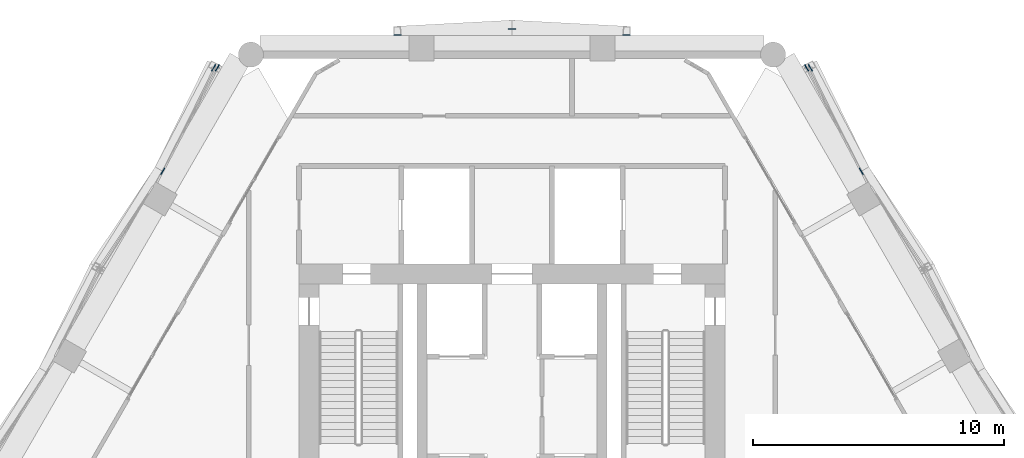
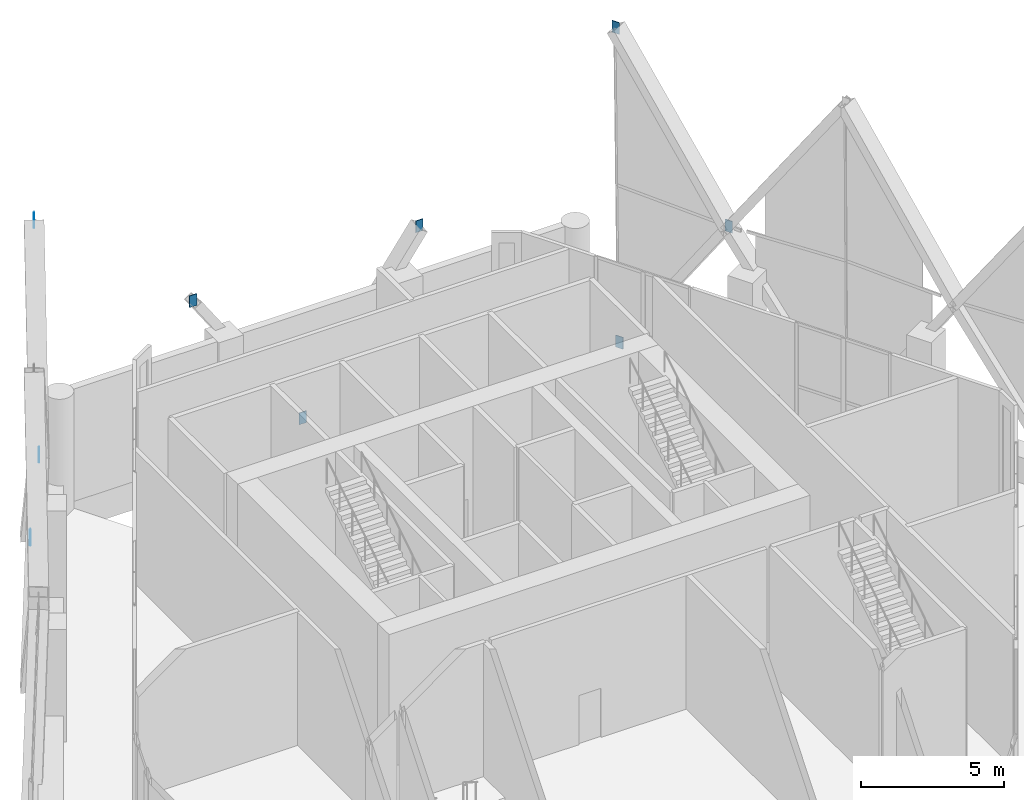
# One storey, part 42 of 43: 9 discrete accessories.
"""IFC4 building model written with IfcOpenShell, lengths in metres."""

import ifcopenshell
import ifcopenshell.guid

model = None  # the IFC model being written
_history = None  # IfcOwnerHistory: only IFC2X3 demands one
_inside = {}  # id of a spatial element -> (the spatial element, [elements in it])
_under = {}  # id of a project, library or spatial element -> (it, [spatial elements below it])
_declared = {}  # id of a project -> (the project, [libraries it declares])
_typed = {}  # id of a type object -> (the type object, [elements of that type])
_made_of = {}  # id of a material, layer set ... -> (it, [elements and type objects made of it])


def new_model(schema):
    """Start an empty IFC model of exactly this schema.

    Asked for "IFC4X3", IfcOpenShell would pick the latest addendum, in which some entities
    have other attributes; the version numbers below select the first issue.
    IFC2X3 requires an IfcOwnerHistory on every rooted entity: one is made here for all.
    """
    global model, _history
    if schema == "IFC4X3":
        model = ifcopenshell.file(schema_version=(4, 3, 0, 0))
    else:
        model = ifcopenshell.file(schema=schema)
    _inside.clear()
    _under.clear()
    _declared.clear()
    _typed.clear()
    _made_of.clear()
    _history = None
    if model.schema == "IFC2X3":
        org = make("IfcOrganization", Name="unknown")
        user = make(
            "IfcPersonAndOrganization",
            ThePerson=make("IfcPerson", FamilyName="unknown"),
            TheOrganization=org,
        )
        app = make(
            "IfcApplication",
            ApplicationDeveloper=org,
            Version="unknown",
            ApplicationFullName="unknown",
            ApplicationIdentifier="unknown",
        )
        _history = make(
            "IfcOwnerHistory",
            OwningUser=user,
            OwningApplication=app,
            ChangeAction="ADDED",
            CreationDate=0,
        )
    return model


def make(cls, **values):
    """One entity of the class cls with the attributes given. An attribute that is None is left unset."""
    return model.create_entity(
        cls, **{name: value for name, value in values.items() if value is not None}
    )


def rooted(cls, **values):
    """An entity with a GlobalId (a new one), such as an element, a storey or a relation."""
    return make(cls, GlobalId=ifcopenshell.guid.new(), OwnerHistory=_history, **values)


def si_unit(unit_type, name, prefix=None):
    """IfcSIUnit, for example si_unit("LENGTHUNIT", "METRE", prefix="MILLI")."""
    return make("IfcSIUnit", UnitType=unit_type, Prefix=prefix, Name=name)


def assignment(units):
    """IfcUnitAssignment: the units of a project."""
    return None if units is None else make("IfcUnitAssignment", Units=units)


def point(xyz):
    """IfcCartesianPoint."""
    return None if xyz is None else make("IfcCartesianPoint", Coordinates=xyz)


def direction(xyz):
    """IfcDirection."""
    return None if xyz is None else make("IfcDirection", DirectionRatios=xyz)


def frame(location, z_axis=None, x_axis=None):
    """IfcAxis2Placement3D, a coordinate frame: its origin and axes. An axis left out is left unset."""
    return make(
        "IfcAxis2Placement3D",
        Location=point(location),
        Axis=direction(z_axis),
        RefDirection=direction(x_axis),
    )


def frame_2d(location, x_axis=None):
    """IfcAxis2Placement2D, a coordinate frame in the plane: its origin and x axis."""
    return make(
        "IfcAxis2Placement2D", Location=point(location), RefDirection=direction(x_axis)
    )


def origin():
    """The frame at (0, 0, 0) with its axes left unset."""
    return frame((0.0, 0.0, 0.0))


def origin_2d():
    """The frame at (0, 0) in the plane with its x axis left unset."""
    return frame_2d((0.0, 0.0))


def place(relative_to, where):
    """IfcLocalPlacement: puts the frame where relative to a parent placement (None: the world)."""
    return make(
        "IfcLocalPlacement", PlacementRelTo=relative_to, RelativePlacement=where
    )


def context(
    kind, dimensions, precision=None, world=None, true_north=None, identifier=None
):
    """IfcGeometricRepresentationContext, for example the 3D "Model" context."""
    return make(
        "IfcGeometricRepresentationContext",
        ContextIdentifier=identifier,
        ContextType=kind,
        CoordinateSpaceDimension=dimensions,
        Precision=precision,
        WorldCoordinateSystem=world,
        TrueNorth=true_north,
    )


def subcontext(parent, identifier, kind, view, scale=None):
    """IfcGeometricRepresentationSubContext, for example "Body" below "Model"."""
    return make(
        "IfcGeometricRepresentationSubContext",
        ContextIdentifier=identifier,
        ContextType=kind,
        ParentContext=parent,
        TargetScale=scale,
        TargetView=view,
    )


def project(units=None, contexts=None):
    """IfcProject with its units and contexts."""
    return rooted(
        "IfcProject",
        Name="project",
        RepresentationContexts=contexts,
        UnitsInContext=assignment(units),
    )


def spatial(cls, under=None, at=None, **own):
    """A site, building, storey or space (cls), placed at a placement, below another one or the project."""
    s = rooted(cls, ObjectPlacement=at, **own)
    if under is not None:
        _under.setdefault(under.id(), (under, []))[1].append(s)
    return s


def profile(cls, at=None, kind="AREA", **sizes):
    """A parametric profile (cls). Its sizes go by their IFC names, for example OverallWidth=200.0."""
    return make(cls, ProfileType=kind, Position=at, **sizes)


def rectangle(**sizes):
    """IfcRectangleProfileDef."""
    return profile("IfcRectangleProfileDef", **sizes)


def extrude(swept, where, along, depth):
    """IfcExtrudedAreaSolid: the profile swept, set in the frame where, extruded along a direction by depth."""
    return make(
        "IfcExtrudedAreaSolid",
        SweptArea=swept,
        Position=where,
        ExtrudedDirection=direction(along),
        Depth=depth,
    )


def shape(context_of_items, identifier, shape_type, items):
    """IfcShapeRepresentation: the items that make up one representation, for example the "Body"."""
    return make(
        "IfcShapeRepresentation",
        ContextOfItems=context_of_items,
        RepresentationIdentifier=identifier,
        RepresentationType=shape_type,
        Items=items,
    )


def material(Name=None, Category=None):
    """IfcMaterial."""
    return make("IfcMaterial", Name=Name, Category=Category)


def layer(
    of_material, thickness, ventilated=None, Name=None, Category=None, Priority=None
):
    """IfcMaterialLayer: one layer of a wall or slab, of a material (None: an air gap)."""
    return make(
        "IfcMaterialLayer",
        Material=of_material,
        LayerThickness=thickness,
        IsVentilated=ventilated,
        Name=Name,
        Category=Category,
        Priority=Priority,
    )


def layer_set(layers, Name=None):
    """IfcMaterialLayerSet."""
    return make("IfcMaterialLayerSet", MaterialLayers=layers, LayerSetName=Name)


def made_of(thing, what):
    """Note that an element or type object is made of a material, layer set ...; save() writes the relation."""
    if what is not None:
        _made_of.setdefault(what.id(), (what, []))[1].append(thing)
    return thing


def type_object(cls, material=None, **own):
    """A type object (cls), such as IfcWallType, which elements share."""
    return made_of(rooted(cls, **own), material)


def element(
    cls,
    number,
    at=None,
    inside=None,
    cuts=None,
    type_object=None,
    material=None,
    context=None,
    identifier="Body",
    shape_type=None,
    held_by="IfcProductDefinitionShape",
    body=None,
    shapes=None,
    **own,
):
    """One element of the class cls, such as IfcWall. Its Tag is "e" and its number.

    at: its placement. inside: the storey or other place that contains it. cuts: it is an
    opening in that element (IfcRelVoidsElement). A single representation is given by context,
    identifier, shape_type and body (its items); several are given by shapes. held_by: the class
    of the entity that holds the representations. save() writes the other relations.
    """
    e = rooted(cls, Tag="e%d" % number, ObjectPlacement=at, **own)
    if body is not None:
        shapes = [shape(context, identifier, shape_type, body)]
    if shapes is not None:
        e.Representation = make(held_by, Representations=shapes)
    if inside is not None:
        _inside.setdefault(inside.id(), (inside, []))[1].append(e)
    if cuts is not None:
        rooted(
            "IfcRelVoidsElement", RelatingBuildingElement=cuts, RelatedOpeningElement=e
        )
    if type_object is not None:
        _typed.setdefault(type_object.id(), (type_object, []))[1].append(e)
    return made_of(e, material)


def aggregate(whole, parts):
    """IfcRelAggregates: a whole, such as a stair, and the parts it consists of."""
    return rooted("IfcRelAggregates", RelatingObject=whole, RelatedObjects=parts)


def save(model, path):
    """Write the relations noted so far, then the file.

    IfcRelAggregates (storeys below a building ...), IfcRelContainedInSpatialStructure (elements
    in a storey), IfcRelDefinesByType, IfcRelAssociatesMaterial and IfcRelDeclares: one each for
    every whole, place, type object, material and project.
    """
    for whole, parts in _under.values():
        aggregate(whole, parts)
    for where, things in _inside.values():
        rooted(
            "IfcRelContainedInSpatialStructure",
            RelatedElements=things,
            RelatingStructure=where,
        )
    for kind, things in _typed.values():
        rooted("IfcRelDefinesByType", RelatedObjects=things, RelatingType=kind)
    for what, things in _made_of.values():
        rooted("IfcRelAssociatesMaterial", RelatedObjects=things, RelatingMaterial=what)
    for by, libraries in _declared.values():
        rooted("IfcRelDeclares", RelatingContext=by, RelatedDefinitions=libraries)
    model.write(path)


model = new_model("IFC4")

# Units and contexts
model_context = context("Model", 3, precision=1e-05, world=origin(), true_north=direction((0.0, 1.0)))
body_context = subcontext(model_context, "Body", "Model", "MODEL_VIEW")
ifc_project = project(units=[si_unit("LENGTHUNIT", "METRE"), si_unit("AREAUNIT", "SQUARE_METRE"), si_unit("VOLUMEUNIT", "CUBIC_METRE"), si_unit("PLANEANGLEUNIT", "RADIAN"), si_unit("MASSUNIT", "GRAM", prefix="KILO")], contexts=[model_context])

# Site, building, storey
site_placement = place(None, origin())
site = spatial("IfcSite", under=ifc_project, at=site_placement, CompositionType="ELEMENT")
building_placement = place(site_placement, origin())
building = spatial("IfcBuilding", under=site, at=building_placement, Name="Ostrander Bayou Hotel Tower", CompositionType="ELEMENT")
storey_placement = place(building_placement, frame((0.0, 0.0, 151.0)))
storey = spatial("IfcBuildingStorey", under=building, at=storey_placement, Name="L37", CompositionType="ELEMENT", Elevation=151.0)

# Discrete accessories
ifc_material = material(Name="Steel ASTM A572 Gr 50", Category="steel")
ifc_layer = layer(ifc_material, 0.030029296875)
ifc_layer_set = layer_set([ifc_layer], Name="GP1 gusset plate 30 mm")
discrete_accessory_type = type_object("IfcDiscreteAccessoryType", Name="GP1 gusset plate 30 mm", PredefinedType="BRACKET", material=ifc_layer_set)
for number, where, z_axis, x_axis, name in (
    (1, (4.571533203125, 18.828369140625, 5.89990234375), (0.0, 0.0, 1.0), (-1.0, 0.0, 0.0), "GP1 gusset plate lat 208"),
    (2, (0.0, 19.070068359375, -0.85009765625), (0.0, 0.0, 1.0), (-1.0, 0.0, 0.0), "GP1 gusset plate lat 209"),
    (3, (-4.571533203125, 18.828369140625, 5.89990234375), (0.0, 0.0, 1.0), (-1.0, 0.0, 0.0), "GP1 gusset plate lat 210"),
    (4, (-13.93505859375, 13.3896484375, 5.89990234375), (0.0, 0.0, 1.0), (-0.5, -0.866025403784, 0.0), "GP1 gusset plate lat 211"),
    (5, (-11.90576171875, 17.5185546875, -0.85009765625), (0.0, 0.0, 1.0), (-0.5, -0.866025403784, 0.0), "GP1 gusset plate lat 212"),
    (6, (-11.754638671875, 17.5185546875, 12.64990234375), (0.0, 0.0, 1.0), (-0.5, -0.866025403784, 0.0), "GP1 gusset plate lat 213"),
    (7, (13.93505859375, 13.3896484375, 5.89990234375), (0.0, 0.0, 1.0), (-0.5, 0.866025403784, 0.0), "GP1 gusset plate lat 248"),
    (8, (11.90576171875, 17.5185546875, -0.85009765625), (0.0, 0.0, 1.0), (-0.5, 0.866025403784, 0.0), "GP1 gusset plate lat 249"),
    (9, (11.754638671875, 17.5185546875, 12.64990234375), (0.0, 0.0, 1.0), (-0.5, 0.866025403784, 0.0), "GP1 gusset plate lat 250"),
):
    element("IfcDiscreteAccessory", number, at=place(storey_placement, frame(where, z_axis=z_axis, x_axis=x_axis)), inside=storey, type_object=discrete_accessory_type, Name=name, PredefinedType="BRACKET", context=body_context, shape_type="SweptSolid", body=[
        extrude(rectangle(XDim=0.300048828125, YDim=0.030029296875, at=origin_2d()), origin(), (0.0, 0.0, 1.0), 0.5),
    ])

save(model, "model.ifc")
